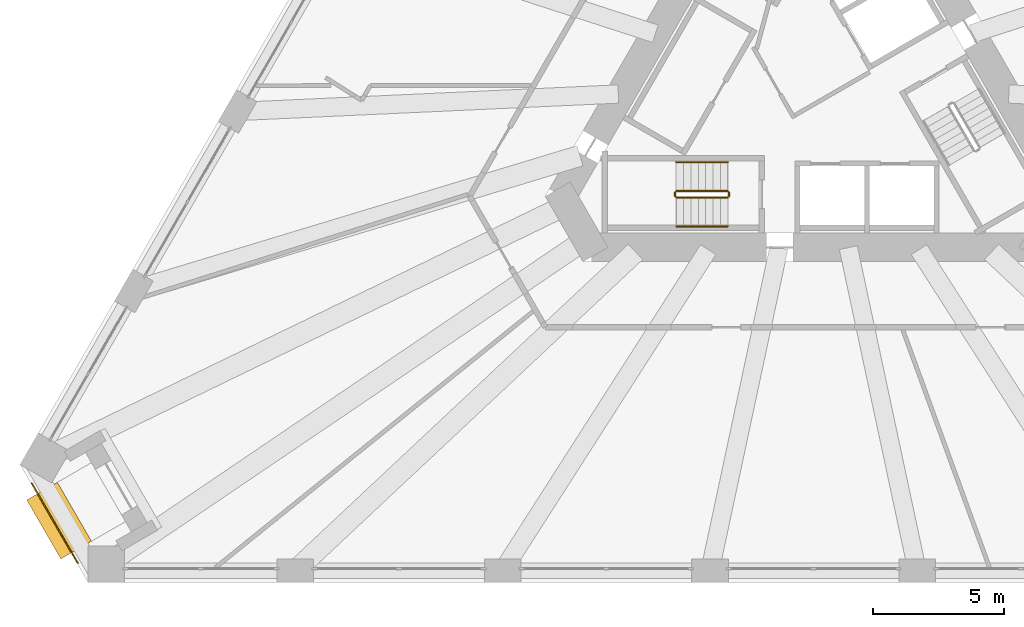
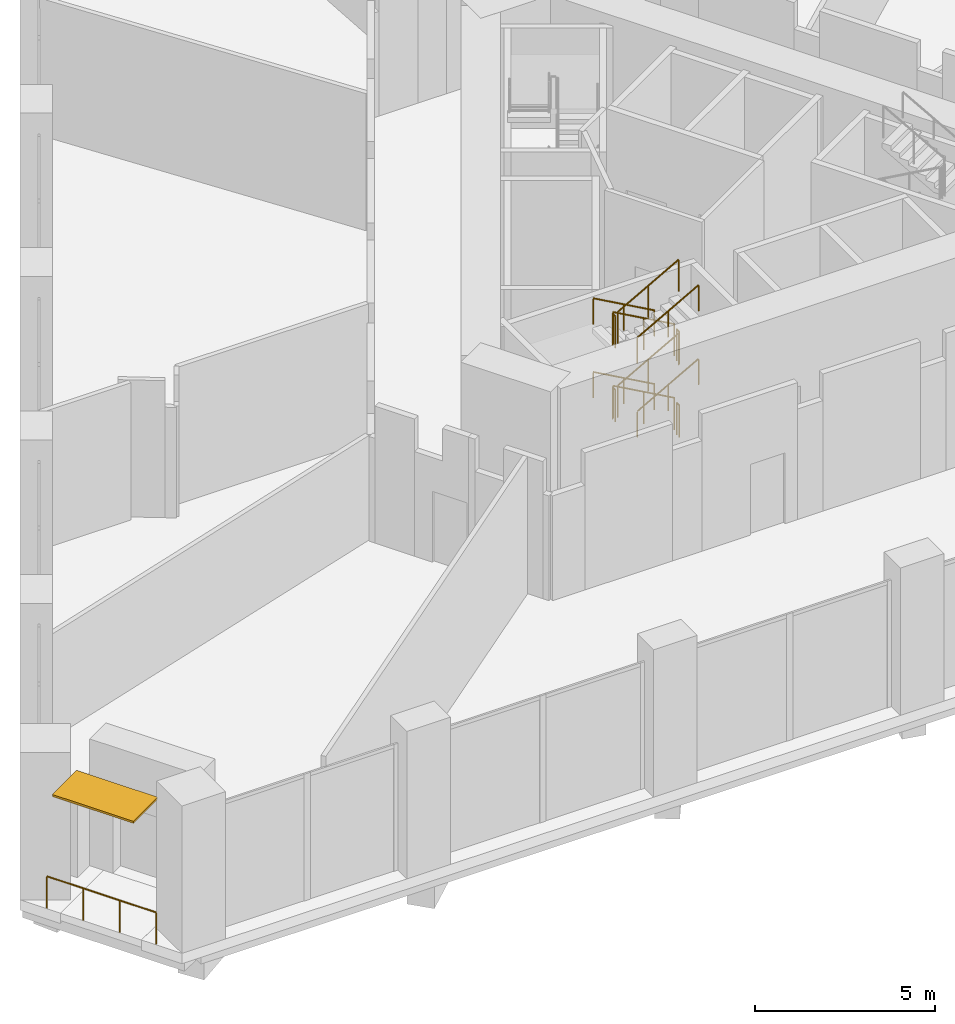
# One storey, part 17 of 20: 13 railings, 1 shading device.
"""IFC4 building model written with IfcOpenShell, lengths in metres."""

from ifc_helpers import new_model, si_unit, direction, frame, origin, origin_2d, place, context, subcontext, project, spatial, rectangle, circle, extrude, material, layer, layer_set, type_object, element, save


model = new_model("IFC4")

# Units and contexts
model_context = context("Model", 3, precision=1e-05, world=origin(), true_north=direction((0.0, 1.0)))
body_context = subcontext(model_context, "Body", "Model", "MODEL_VIEW")
ifc_project = project(units=[si_unit("LENGTHUNIT", "METRE"), si_unit("AREAUNIT", "SQUARE_METRE"), si_unit("VOLUMEUNIT", "CUBIC_METRE"), si_unit("PLANEANGLEUNIT", "RADIAN"), si_unit("MASSUNIT", "GRAM", prefix="KILO")], contexts=[model_context])

# Site, building, storey
site_placement = place(None, origin())
site = spatial("IfcSite", under=ifc_project, at=site_placement, CompositionType="ELEMENT")
building_placement = place(site_placement, origin())
building = spatial("IfcBuilding", under=site, at=building_placement, Name="Tramontana Tower", CompositionType="ELEMENT")
storey_placement = place(building_placement, frame((0.0, 0.0, 10.0)))
storey = spatial("IfcBuildingStorey", under=building, at=storey_placement, Name="L01", CompositionType="ELEMENT", Elevation=10.0)

# Railing
ifc_material_1 = material(Name="Laminated glass balustrade", Category="glass")
railing_type_1 = type_object("IfcRailingType", Name="GD1 Loggia glass balustrade 1100", PredefinedType="BALUSTRADE", material=ifc_material_1)
railing_1_placement = place(storey_placement, frame((-28.11083984375, -18.25048828125, 0.0)))
element("IfcRailing", 1, at=railing_1_placement, inside=storey, type_object=railing_type_1, Name="Corner loggia balustrade L01 K01", PredefinedType="BALUSTRADE", context=body_context, shape_type="SweptSolid", body=[
    extrude(circle(Radius=0.02392578125, at=origin_2d()), frame((0.0, 0.0, 1.076171875), z_axis=(-0.500010275428, 0.866019471182, 0.0), x_axis=(-0.866019471182, -0.500010275428, 0.0)), (0.0, 0.0, 1.0), 3.5),
    extrude(circle(Radius=0.02099609375, at=origin_2d()), origin(), (0.0, 0.0, 1.0), 1.052001953125),
    extrude(circle(Radius=0.02099609375, at=origin_2d()), frame((-0.583251953125, 1.01025390625, 0.0)), (0.0, 0.0, 1.0), 1.052001953125),
    extrude(circle(Radius=0.02099609375, at=origin_2d()), frame((-1.166748046875, 2.020751953125, 0.0)), (0.0, 0.0, 1.0), 1.052001953125),
    extrude(circle(Radius=0.02099609375, at=origin_2d()), frame((-1.75, 3.031005859375, 0.0)), (0.0, 0.0, 1.0), 1.052001953125),
])

# Shading device
ifc_material_2 = material(Name="Precast concrete 60 MPa", Category="concrete")
ifc_layer = layer(ifc_material_2, 0.070068359375)
ifc_layer_set = layer_set([ifc_layer], Name="SS2 Stone sunshade blade 70")
shading_device_type = type_object("IfcShadingDeviceType", Name="SS2 Stone sunshade blade 70", PredefinedType="USERDEFINED", material=ifc_layer_set)
shading_device_placement = place(storey_placement, frame((-28.81689453125, -16.637451171875, 4.22998046875), z_axis=(0.0, 0.0, 1.0), x_axis=(-0.5, 0.866025403784, 0.0)))
element("IfcShadingDevice", 2, at=shading_device_placement, inside=storey, type_object=shading_device_type, Name="Corner sunshade L01 K01", ObjectType="SUNSHADE", PredefinedType="USERDEFINED", context=body_context, shape_type="SweptSolid", body=[
    extrude(rectangle(XDim=2.60009765625, YDim=1.35009765625, at=origin_2d()), origin(), (0.0, 0.0, 1.0), 0.070068359375),
])

# Railings
ifc_material_3 = material(Name="Painted steel", Category="steel")
railing_type_2 = type_object("IfcRailingType", Name="STAIR GUARD 1100", PredefinedType="GUARDRAIL", material=ifc_material_3)
railing_2_placement = place(storey_placement, frame((-3.280029296875, -4.050048828125, 0.15625)))
element("IfcRailing", 3, at=railing_2_placement, inside=storey, type_object=railing_type_2, Name="L01 ST2 stair guard 1", PredefinedType="GUARDRAIL", context=body_context, shape_type="SweptSolid", body=[
    extrude(circle(Radius=0.02392578125, at=origin_2d()), frame((0.0, 0.0, 1.076171875), z_axis=(-0.873232148454, 0.0, 0.487304437602), x_axis=(0.0, -1.0, 0.0)), (0.0, 0.0, 1.0), 2.244384765625),
    extrude(circle(Radius=0.02099609375, at=origin_2d()), origin(), (0.0, 0.0, 1.0), 1.052001953125),
    extrude(circle(Radius=0.02099609375, at=origin_2d()), frame((-0.97998046875, 0.0, 0.546875)), (0.0, 0.0, 1.0), 1.052001953125),
    extrude(circle(Radius=0.02099609375, at=origin_2d()), frame((-1.9599609375, 0.0, 1.09375)), (0.0, 0.0, 1.0), 1.052001953125),
])
railing_3_placement = place(storey_placement, frame((-5.239990234375, -4.300048828125, 1.40625)))
element("IfcRailing", 4, at=railing_3_placement, inside=storey, type_object=railing_type_2, Name="L01 ST2 stair guard 2", PredefinedType="GUARDRAIL", context=body_context, shape_type="SweptSolid", body=[
    extrude(circle(Radius=0.02392578125, at=origin_2d()), frame((0.0, 0.0, 1.076171875), z_axis=(0.873232148454, 0.0, 0.487304437602), x_axis=(0.0, 1.0, 0.0)), (0.0, 0.0, 1.0), 2.244384765625),
    extrude(circle(Radius=0.02099609375, at=origin_2d()), origin(), (0.0, 0.0, 1.0), 1.052001953125),
    extrude(circle(Radius=0.02099609375, at=origin_2d()), frame((0.97998046875, 0.0, 0.546875)), (0.0, 0.0, 1.0), 1.052001953125),
    extrude(circle(Radius=0.02099609375, at=origin_2d()), frame((1.9599609375, 0.0, 1.09375)), (0.0, 0.0, 1.0), 1.052001953125),
])
railing_4_placement = place(storey_placement, frame((-3.280029296875, -4.050048828125, 2.65625)))
element("IfcRailing", 5, at=railing_4_placement, inside=storey, type_object=railing_type_2, Name="L01 ST2 stair guard 3", PredefinedType="GUARDRAIL", context=body_context, shape_type="SweptSolid", body=[
    extrude(circle(Radius=0.02392578125, at=origin_2d()), frame((0.0, 0.0, 1.076171875), z_axis=(-0.873232148454, 0.0, 0.487304437602), x_axis=(0.0, -1.0, 0.0)), (0.0, 0.0, 1.0), 2.244384765625),
    extrude(circle(Radius=0.02099609375, at=origin_2d()), origin(), (0.0, 0.0, 1.0), 1.052001953125),
    extrude(circle(Radius=0.02099609375, at=origin_2d()), frame((-0.97998046875, 0.0, 0.546875)), (0.0, 0.0, 1.0), 1.052001953125),
    extrude(circle(Radius=0.02099609375, at=origin_2d()), frame((-1.9599609375, 0.0, 1.09375)), (0.0, 0.0, 1.0), 1.052001953125),
])
railing_5_placement = place(storey_placement, frame((-5.239990234375, -4.300048828125, 3.90625)))
element("IfcRailing", 6, at=railing_5_placement, inside=storey, type_object=railing_type_2, Name="L01 ST2 stair guard 4", PredefinedType="GUARDRAIL", context=body_context, shape_type="SweptSolid", body=[
    extrude(circle(Radius=0.02392578125, at=origin_2d()), frame((0.0, 0.0, 1.076171875), z_axis=(0.873232148454, 0.0, 0.487304437602), x_axis=(0.0, 1.0, 0.0)), (0.0, 0.0, 1.0), 2.244384765625),
    extrude(circle(Radius=0.02099609375, at=origin_2d()), origin(), (0.0, 0.0, 1.0), 1.052001953125),
    extrude(circle(Radius=0.02099609375, at=origin_2d()), frame((0.97998046875, 0.0, 0.546875)), (0.0, 0.0, 1.0), 1.052001953125),
    extrude(circle(Radius=0.02099609375, at=origin_2d()), frame((1.9599609375, 0.0, 1.09375)), (0.0, 0.0, 1.0), 1.052001953125),
])
for number, where, name in (
    (7, (-5.2900390625, -4.10009765625, 1.25), "L01 ST2 stair guard 5"),
    (8, (-3.22998046875, -4.10009765625, 2.5), "L01 ST2 stair guard 6"),
    (9, (-5.2900390625, -4.10009765625, 3.75), "L01 ST2 stair guard 7"),
    (10, (-3.22998046875, -4.10009765625, 0.0), "L01 ST2 stair guard 8"),
):
    element("IfcRailing", number, at=place(storey_placement, frame(where)), inside=storey, type_object=railing_type_2, Name=name, PredefinedType="GUARDRAIL", context=body_context, shape_type="SweptSolid", body=[
        extrude(circle(Radius=0.02392578125, at=origin_2d()), frame((0.0, 0.0, 1.076171875), z_axis=(0.0, -1.0, 0.0), x_axis=(1.0, 0.0, 0.0)), (0.0, 0.0, 1.0), 0.14990234375),
        extrude(circle(Radius=0.02099609375, at=origin_2d()), origin(), (0.0, 0.0, 1.0), 1.052001953125),
        extrude(circle(Radius=0.02099609375, at=origin_2d()), frame((0.0, -0.14990234375, 0.0)), (0.0, 0.0, 1.0), 1.052001953125),
    ])
ifc_material_4 = material(Name="Painted steel", Category="steel")
railing_type_3 = type_object("IfcRailingType", Name="STAIR HANDRAIL 900", PredefinedType="HANDRAIL", material=ifc_material_4)
railing_6_placement = place(storey_placement, frame((-3.280029296875, -2.949951171875, 0.15625)))
element("IfcRailing", 11, at=railing_6_placement, inside=storey, type_object=railing_type_3, Name="L01 ST2 stair handrail 1", PredefinedType="HANDRAIL", context=body_context, shape_type="SweptSolid", body=[
    extrude(circle(Radius=0.02392578125, at=origin_2d()), frame((0.0, 0.0, 0.8759765625), z_axis=(-0.873232148454, 0.0, 0.487304437602), x_axis=(0.0, -1.0, 0.0)), (0.0, 0.0, 1.0), 2.244384765625),
    extrude(circle(Radius=0.02099609375, at=origin_2d()), origin(), (0.0, 0.0, 1.0), 0.851806640625),
    extrude(circle(Radius=0.02099609375, at=origin_2d()), frame((-0.97998046875, 0.0, 0.546875)), (0.0, 0.0, 1.0), 0.851806640625),
    extrude(circle(Radius=0.02099609375, at=origin_2d()), frame((-1.9599609375, 0.0, 1.09375)), (0.0, 0.0, 1.0), 0.851806640625),
])
railing_7_placement = place(storey_placement, frame((-5.239990234375, -5.39990234375, 1.40625)))
element("IfcRailing", 12, at=railing_7_placement, inside=storey, type_object=railing_type_3, Name="L01 ST2 stair handrail 2", PredefinedType="HANDRAIL", context=body_context, shape_type="SweptSolid", body=[
    extrude(circle(Radius=0.02392578125, at=origin_2d()), frame((0.0, 0.0, 0.8759765625), z_axis=(0.873232148454, 0.0, 0.487304437602), x_axis=(0.0, 1.0, 0.0)), (0.0, 0.0, 1.0), 2.244384765625),
    extrude(circle(Radius=0.02099609375, at=origin_2d()), origin(), (0.0, 0.0, 1.0), 0.851806640625),
    extrude(circle(Radius=0.02099609375, at=origin_2d()), frame((0.97998046875, 0.0, 0.546875)), (0.0, 0.0, 1.0), 0.851806640625),
    extrude(circle(Radius=0.02099609375, at=origin_2d()), frame((1.9599609375, 0.0, 1.09375)), (0.0, 0.0, 1.0), 0.851806640625),
])
railing_8_placement = place(storey_placement, frame((-3.280029296875, -2.949951171875, 2.65625)))
element("IfcRailing", 13, at=railing_8_placement, inside=storey, type_object=railing_type_3, Name="L01 ST2 stair handrail 3", PredefinedType="HANDRAIL", context=body_context, shape_type="SweptSolid", body=[
    extrude(circle(Radius=0.02392578125, at=origin_2d()), frame((0.0, 0.0, 0.8759765625), z_axis=(-0.873232148454, 0.0, 0.487304437602), x_axis=(0.0, -1.0, 0.0)), (0.0, 0.0, 1.0), 2.244384765625),
    extrude(circle(Radius=0.02099609375, at=origin_2d()), origin(), (0.0, 0.0, 1.0), 0.851806640625),
    extrude(circle(Radius=0.02099609375, at=origin_2d()), frame((-0.97998046875, 0.0, 0.546875)), (0.0, 0.0, 1.0), 0.851806640625),
    extrude(circle(Radius=0.02099609375, at=origin_2d()), frame((-1.9599609375, 0.0, 1.09375)), (0.0, 0.0, 1.0), 0.851806640625),
])
railing_9_placement = place(storey_placement, frame((-5.239990234375, -5.39990234375, 3.90625)))
element("IfcRailing", 14, at=railing_9_placement, inside=storey, type_object=railing_type_3, Name="L01 ST2 stair handrail 4", PredefinedType="HANDRAIL", context=body_context, shape_type="SweptSolid", body=[
    extrude(circle(Radius=0.02392578125, at=origin_2d()), frame((0.0, 0.0, 0.8759765625), z_axis=(0.873232148454, 0.0, 0.487304437602), x_axis=(0.0, 1.0, 0.0)), (0.0, 0.0, 1.0), 2.244384765625),
    extrude(circle(Radius=0.02099609375, at=origin_2d()), origin(), (0.0, 0.0, 1.0), 0.851806640625),
    extrude(circle(Radius=0.02099609375, at=origin_2d()), frame((0.97998046875, 0.0, 0.546875)), (0.0, 0.0, 1.0), 0.851806640625),
    extrude(circle(Radius=0.02099609375, at=origin_2d()), frame((1.9599609375, 0.0, 1.09375)), (0.0, 0.0, 1.0), 0.851806640625),
])

save(model, "model.ifc")
